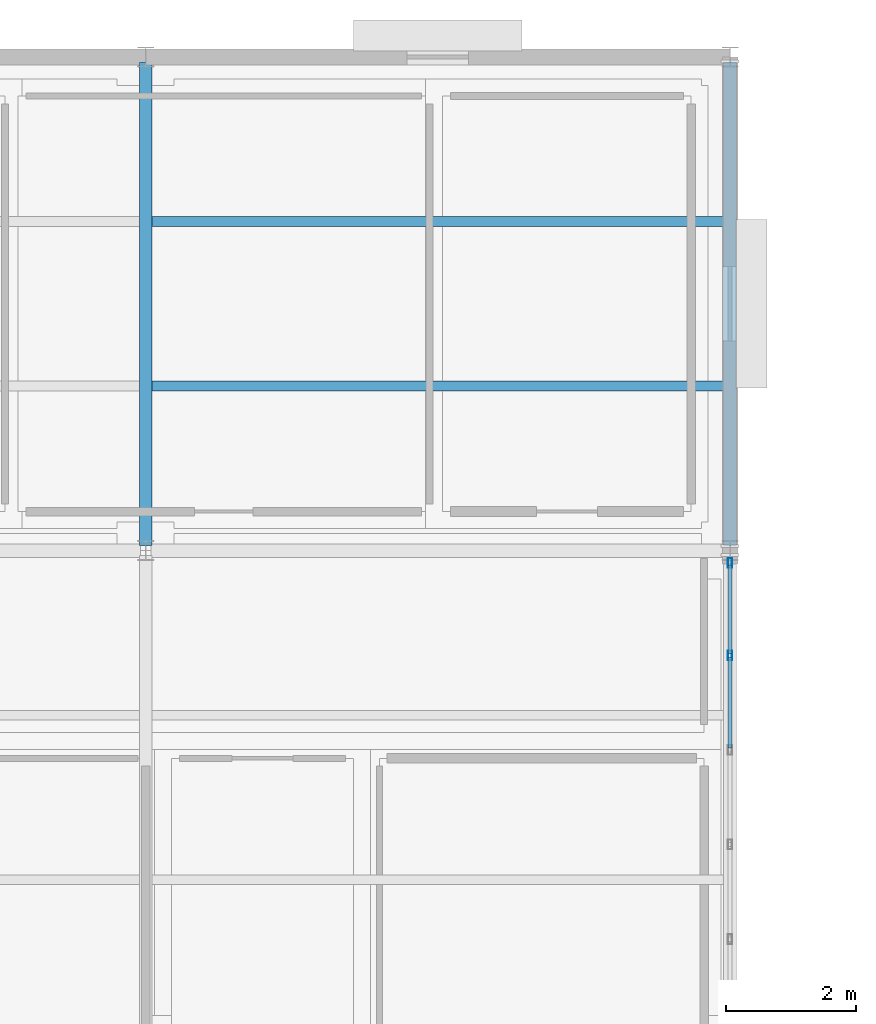
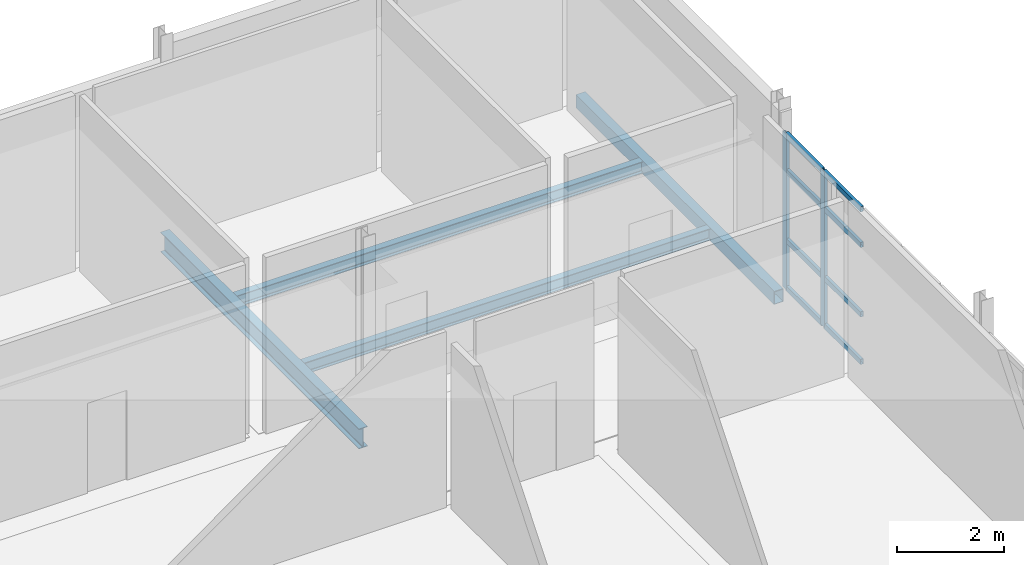
# One storey, part 66 of 96: 10 members, 4 beams, 1 element without a shape of its own.
"""IFC4 building model written with IfcOpenShell, lengths in metres."""

from ifc_helpers import new_model, si_unit, direction, frame, origin, origin_2d, place, context, subcontext, project, spatial, hollow_rectangle, i_section, extrude, material, material_profile, profile_set, type_object, element, aggregate, save


model = new_model("IFC4")

# Units and contexts
model_context = context("Model", 3, precision=1e-05, world=origin(), true_north=direction((0.0, 1.0)))
body_context = subcontext(model_context, "Body", "Model", "MODEL_VIEW")
ifc_project = project(units=[si_unit("LENGTHUNIT", "METRE"), si_unit("AREAUNIT", "SQUARE_METRE"), si_unit("VOLUMEUNIT", "CUBIC_METRE"), si_unit("PLANEANGLEUNIT", "RADIAN"), si_unit("MASSUNIT", "GRAM", prefix="KILO")], contexts=[model_context])

# Site, building, storey
site_placement = place(None, origin())
site = spatial("IfcSite", under=ifc_project, at=site_placement, CompositionType="ELEMENT")
building_placement = place(site_placement, origin())
building = spatial("IfcBuilding", under=site, at=building_placement, Name="Caisbarro Railhouse Central Library", CompositionType="ELEMENT")
storey_placement = place(building_placement, frame((0.0, 0.0, 13.679931640625)))
storey = spatial("IfcBuildingStorey", under=building, at=storey_placement, Name="L03", CompositionType="ELEMENT", Elevation=13.679931640625)

# Beams
ifc_material_1 = material(Name="Steel ASTM A572 Grade 50", Category="steel")
ifc_material_profile_1 = material_profile(ifc_material_1, i_section(OverallWidth=0.18994140625, OverallDepth=0.45703125, WebThickness=0.009033203125, FlangeThickness=0.014404296875, FilletRadius=0.01806640625, at=origin_2d()), Name="W460X74.0")
ifc_profile_set_1 = profile_set([ifc_material_profile_1], Name="Steel ASTM A572 Grade 50")
beam_type_1 = type_object("IfcBeamType", Name="BM-G08", PredefinedType="BEAM", material=ifc_profile_set_1)
beam_1_placement = place(storey_placement, frame((144.0, 106.47998046875, -0.448486328125), z_axis=(0.0, 1.0, 0.0), x_axis=(-1.0, 0.0, 0.0)))
element("IfcBeam", 1, at=beam_1_placement, inside=storey, type_object=beam_type_1, Name="G08 beam L03 #1902", PredefinedType="BEAM", context=body_context, shape_type="SweptSolid", body=[
    extrude(i_section(OverallWidth=0.18994140625, OverallDepth=0.45703125, WebThickness=0.009033203125, FlangeThickness=0.014404296875, FilletRadius=0.01806640625, at=origin_2d()), origin(), (0.0, 0.0, 1.0), 7.43994140625),
])
ifc_material_profile_2 = material_profile(ifc_material_1, i_section(OverallWidth=0.14794921875, OverallDepth=0.26611328125, WebThickness=0.007568359375, FlangeThickness=0.012939453125, FilletRadius=0.010009765625, at=origin_2d()), Name="W250X44.8")
ifc_profile_set_2 = profile_set([ifc_material_profile_2], Name="Steel ASTM A572 Grade 50")
beam_type_2 = type_object("IfcBeamType", Name="BM-J04", PredefinedType="JOIST", material=ifc_profile_set_2)
for number, where, z_axis, x_axis, name in (
    (2, (144.094970703125, 108.933349609375, -0.35302734375), (1.0, 0.0, 0.0), (0.0, 1.0, 0.0), "J04 beam L03 #1943"),
    (3, (144.094970703125, 111.466796875, -0.35302734375), (1.0, 0.0, 0.0), (0.0, 1.0, 0.0), "J04 beam L03 #1944"),
):
    element("IfcBeam", number, at=place(storey_placement, frame(where, z_axis=z_axis, x_axis=x_axis)), inside=storey, type_object=beam_type_2, Name=name, PredefinedType="JOIST", context=body_context, shape_type="SweptSolid", body=[
        extrude(i_section(OverallWidth=0.14794921875, OverallDepth=0.26611328125, WebThickness=0.007568359375, FlangeThickness=0.012939453125, FilletRadius=0.010009765625, at=origin_2d()), origin(), (0.0, 0.0, 1.0), 8.804931640625),
    ])
ifc_material_profile_3 = material_profile(ifc_material_1, hollow_rectangle(XDim=0.199951171875, YDim=0.300048828125, WallThickness=0.012451171875, at=origin_2d()), Name="HSS300X200X12.5")
ifc_profile_set_3 = profile_set([ifc_material_profile_3], Name="Steel ASTM A572 Grade 50")
beam_type_3 = type_object("IfcBeamType", Name="BM-SP02", PredefinedType="SPANDREL", material=ifc_profile_set_3)
beam_2_placement = place(storey_placement, frame((153.0, 106.47998046875, -0.369873046875), z_axis=(0.0, 1.0, 0.0), x_axis=(-1.0, 0.0, 0.0)))
element("IfcBeam", 4, at=beam_2_placement, inside=storey, type_object=beam_type_3, Name="SP02 beam L03 #1908", PredefinedType="SPANDREL", context=body_context, shape_type="SweptSolid", body=[
    extrude(hollow_rectangle(XDim=0.199951171875, YDim=0.300048828125, WallThickness=0.012451171875, at=origin_2d()), origin(), (0.0, 0.0, 1.0), 7.43994140625),
])

# Curtain wall, members
ifc_material_2 = material(Name="Anodised architectural aluminium", Category="aluminium")
curtain_wall_type = type_object("IfcCurtainWallType", Name="CW-CW03", PredefinedType="NOTDEFINED", material=ifc_material_2)
curtain_wall_placement = place(storey_placement, origin())
curtain_wall = element("IfcCurtainWall", 5, at=curtain_wall_placement, inside=storey, type_object=curtain_wall_type, Name="CW03 curtain wall L03 #154", PredefinedType="NOTDEFINED")
ifc_material_profile_4 = material_profile(ifc_material_2, hollow_rectangle(XDim=0.06494140625, YDim=0.14990234375, WallThickness=0.00390625, at=origin_2d()), Name="ALU-MUL-65X150")
ifc_profile_set_4 = profile_set([ifc_material_profile_4], Name="Anodised architectural aluminium")
member_type_1 = type_object("IfcMemberType", Name="CWM-M02", PredefinedType="MULLION", material=ifc_profile_set_4)
member_1_placement = place(storey_placement, frame((153.0, 104.783935546875, 0.0), z_axis=(0.0, 0.0, 1.0), x_axis=(-1.0, 0.0, 0.0)))
member_1 = element("IfcMember", 6, at=member_1_placement, type_object=member_type_1, Name="CW03 mullion 5", PredefinedType="MULLION", context=body_context, shape_type="SweptSolid", body=[
    extrude(hollow_rectangle(XDim=0.06494140625, YDim=0.14990234375, WallThickness=0.00390625, at=origin_2d()), origin(), (0.0, 0.0, 1.0), 3.56005859375),
])
member_2_placement = place(storey_placement, frame((153.0, 106.20751953125, 0.0), z_axis=(0.0, 0.0, 1.0), x_axis=(-1.0, 0.0, 0.0)))
member_2 = element("IfcMember", 7, at=member_2_placement, type_object=member_type_1, Name="CW03 mullion 6", PredefinedType="MULLION", context=body_context, shape_type="SweptSolid", body=[
    extrude(hollow_rectangle(XDim=0.06494140625, YDim=0.14990234375, WallThickness=0.00390625, at=origin_2d()), origin(), (0.0, 0.0, 1.0), 3.56005859375),
])
ifc_material_profile_5 = material_profile(ifc_material_2, hollow_rectangle(XDim=0.06494140625, YDim=0.1201171875, WallThickness=0.00341796875, at=origin_2d()), Name="ALU-TRN-65X120")
ifc_profile_set_5 = profile_set([ifc_material_profile_5], Name="Anodised architectural aluminium")
member_type_2 = type_object("IfcMemberType", Name="CWT-T02", PredefinedType="USERDEFINED", material=ifc_profile_set_5)
member_3_placement = place(storey_placement, frame((153.0, 103.360595703125, 0.032470703125), z_axis=(0.0, 1.0, 0.0), x_axis=(-1.0, 0.0, 0.0)))
member_3 = element("IfcMember", 8, at=member_3_placement, type_object=member_type_2, Name="CW03 transom 4.1", ObjectType="TRANSOM", PredefinedType="USERDEFINED", context=body_context, shape_type="SweptSolid", body=[
    extrude(hollow_rectangle(XDim=0.06494140625, YDim=0.1201171875, WallThickness=0.00341796875, at=origin_2d()), origin(), (0.0, 0.0, 1.0), 1.390869140625),
])
member_4_placement = place(storey_placement, frame((153.0, 103.360595703125, 1.1201171875), z_axis=(0.0, 1.0, 0.0), x_axis=(-1.0, 0.0, 0.0)))
member_4 = element("IfcMember", 9, at=member_4_placement, type_object=member_type_2, Name="CW03 transom 4.2", ObjectType="TRANSOM", PredefinedType="USERDEFINED", context=body_context, shape_type="SweptSolid", body=[
    extrude(hollow_rectangle(XDim=0.06494140625, YDim=0.1201171875, WallThickness=0.00341796875, at=origin_2d()), origin(), (0.0, 0.0, 1.0), 1.390869140625),
])
member_5_placement = place(storey_placement, frame((153.0, 103.360595703125, 2.7099609375), z_axis=(0.0, 1.0, 0.0), x_axis=(-1.0, 0.0, 0.0)))
member_5 = element("IfcMember", 10, at=member_5_placement, type_object=member_type_2, Name="CW03 transom 4.3", ObjectType="TRANSOM", PredefinedType="USERDEFINED", context=body_context, shape_type="SweptSolid", body=[
    extrude(hollow_rectangle(XDim=0.06494140625, YDim=0.1201171875, WallThickness=0.00341796875, at=origin_2d()), origin(), (0.0, 0.0, 1.0), 1.390869140625),
])
member_6_placement = place(storey_placement, frame((153.0, 103.360595703125, 3.527587890625), z_axis=(0.0, 1.0, 0.0), x_axis=(-1.0, 0.0, 0.0)))
member_6 = element("IfcMember", 11, at=member_6_placement, type_object=member_type_2, Name="CW03 transom 4.4", ObjectType="TRANSOM", PredefinedType="USERDEFINED", context=body_context, shape_type="SweptSolid", body=[
    extrude(hollow_rectangle(XDim=0.06494140625, YDim=0.1201171875, WallThickness=0.00341796875, at=origin_2d()), origin(), (0.0, 0.0, 1.0), 1.390869140625),
])
member_7_placement = place(storey_placement, frame((153.0, 104.81640625, 0.032470703125), z_axis=(0.0, 1.0, 0.0), x_axis=(-1.0, 0.0, 0.0)))
member_7 = element("IfcMember", 12, at=member_7_placement, type_object=member_type_2, Name="CW03 transom 5.1", ObjectType="TRANSOM", PredefinedType="USERDEFINED", context=body_context, shape_type="SweptSolid", body=[
    extrude(hollow_rectangle(XDim=0.06494140625, YDim=0.1201171875, WallThickness=0.00341796875, at=origin_2d()), origin(), (0.0, 0.0, 1.0), 1.358642578125),
])
member_8_placement = place(storey_placement, frame((153.0, 104.81640625, 1.1201171875), z_axis=(0.0, 1.0, 0.0), x_axis=(-1.0, 0.0, 0.0)))
member_8 = element("IfcMember", 13, at=member_8_placement, type_object=member_type_2, Name="CW03 transom 5.2", ObjectType="TRANSOM", PredefinedType="USERDEFINED", context=body_context, shape_type="SweptSolid", body=[
    extrude(hollow_rectangle(XDim=0.06494140625, YDim=0.1201171875, WallThickness=0.00341796875, at=origin_2d()), origin(), (0.0, 0.0, 1.0), 1.358642578125),
])
member_9_placement = place(storey_placement, frame((153.0, 104.81640625, 2.7099609375), z_axis=(0.0, 1.0, 0.0), x_axis=(-1.0, 0.0, 0.0)))
member_9 = element("IfcMember", 14, at=member_9_placement, type_object=member_type_2, Name="CW03 transom 5.3", ObjectType="TRANSOM", PredefinedType="USERDEFINED", context=body_context, shape_type="SweptSolid", body=[
    extrude(hollow_rectangle(XDim=0.06494140625, YDim=0.1201171875, WallThickness=0.00341796875, at=origin_2d()), origin(), (0.0, 0.0, 1.0), 1.358642578125),
])
member_10_placement = place(storey_placement, frame((153.0, 104.81640625, 3.527587890625), z_axis=(0.0, 1.0, 0.0), x_axis=(-1.0, 0.0, 0.0)))
member_10 = element("IfcMember", 15, at=member_10_placement, type_object=member_type_2, Name="CW03 transom 5.4", ObjectType="TRANSOM", PredefinedType="USERDEFINED", context=body_context, shape_type="SweptSolid", body=[
    extrude(hollow_rectangle(XDim=0.06494140625, YDim=0.1201171875, WallThickness=0.00341796875, at=origin_2d()), origin(), (0.0, 0.0, 1.0), 1.358642578125),
])
aggregate(curtain_wall, [member_1, member_2, member_3, member_4, member_5, member_6, member_7, member_8, member_9, member_10])

save(model, "model.ifc")
